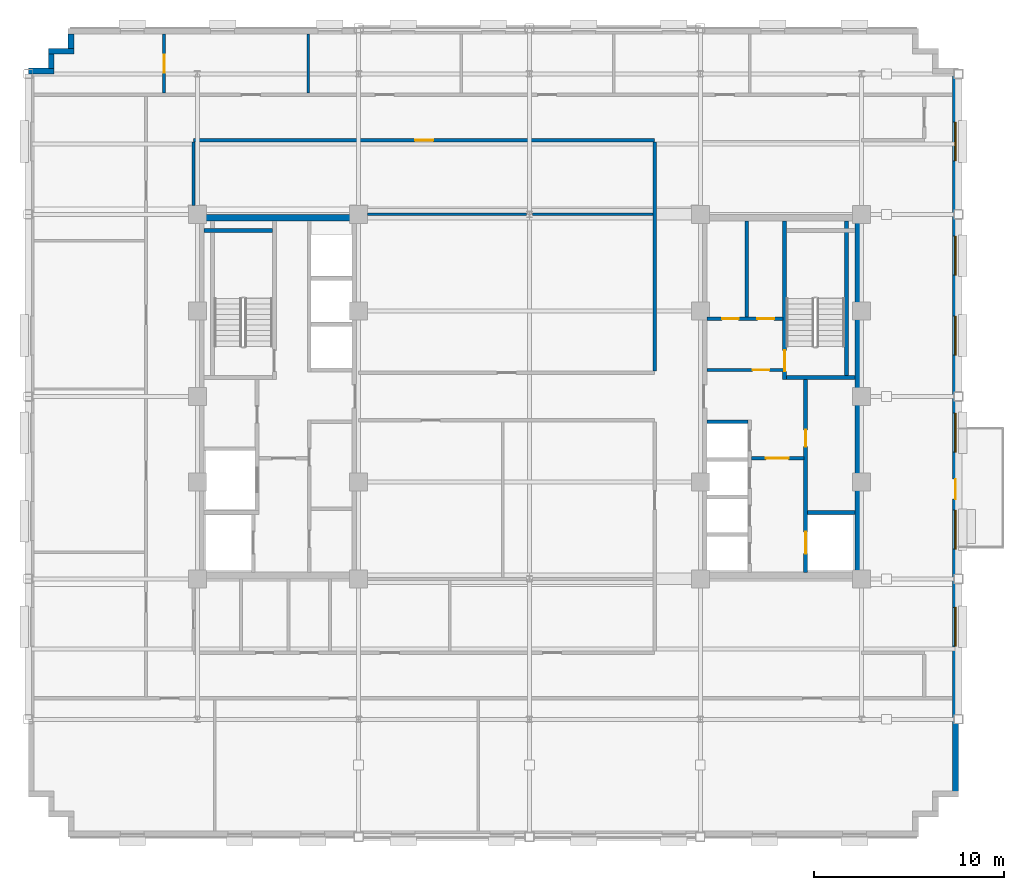
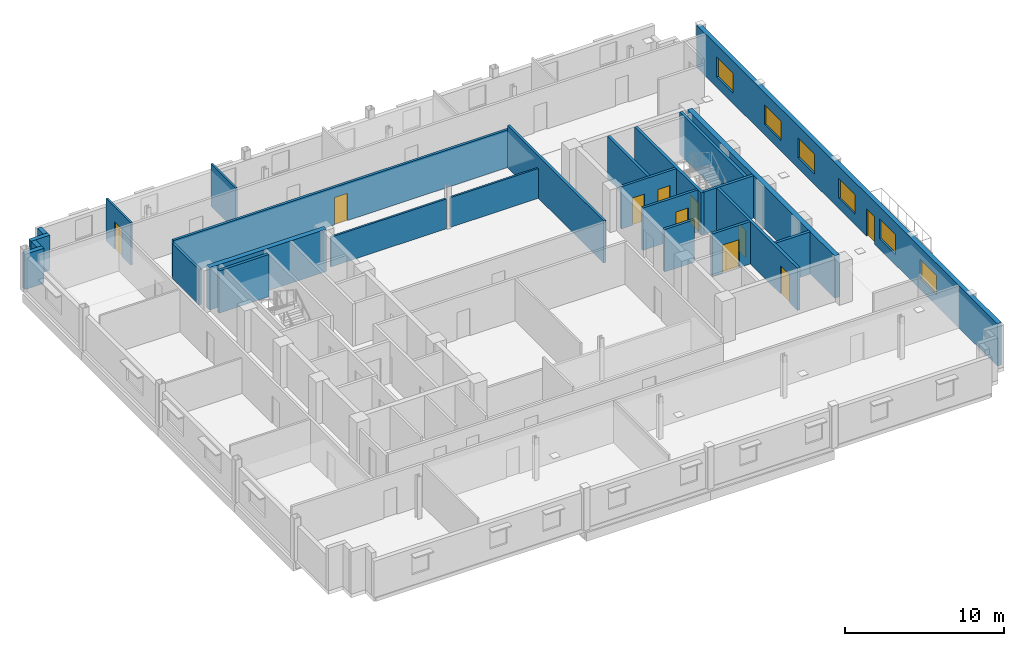
# One storey, part 9 of 15: 25 walls, 10 doors, 6 windows, 16 openings.
"""IFC4 building model written with IfcOpenShell, lengths in metres."""

from ifc_helpers import new_model, si_unit, direction, frame, frame_2d, origin, place, context, subcontext, project, spatial, rectangle, extrude, source, transform, mapped, material, layer, layer_set, type_object, type_shapes, element, fill, save


model = new_model("IFC4")

# Units and contexts
model_context = context("Model", 3, precision=1e-05, world=origin(), true_north=direction((0.0, 1.0)))
body_context = subcontext(model_context, "Body", "Model", "MODEL_VIEW")
ifc_project = project(units=[si_unit("LENGTHUNIT", "METRE"), si_unit("AREAUNIT", "SQUARE_METRE"), si_unit("VOLUMEUNIT", "CUBIC_METRE"), si_unit("PLANEANGLEUNIT", "RADIAN"), si_unit("MASSUNIT", "GRAM", prefix="KILO")], contexts=[model_context])

# Site, building, storey
site_placement = place(None, origin())
site = spatial("IfcSite", under=ifc_project, at=site_placement, CompositionType="ELEMENT")
building_placement = place(site_placement, origin())
building = spatial("IfcBuilding", under=site, at=building_placement, Name="Nuvemarco Arch Tower", CompositionType="ELEMENT")
storey_placement = place(building_placement, frame((0.0, 0.0, 205.5)))
storey = spatial("IfcBuildingStorey", under=building, at=storey_placement, Name="L54", CompositionType="ELEMENT", Elevation=205.5)

# Wall, openings, door, windows
ifc_material_1 = material(Name="Precast concrete C45/55", Category="concrete")
ifc_layer_1 = layer(ifc_material_1, 0.31005859375, Name="EW-UPP-310")
ifc_layer_set_1 = layer_set([ifc_layer_1], Name="Precast concrete C45/55")
wall_type_1 = type_object("IfcWallType", Name="EW-UPP-310", PredefinedType="STANDARD", material=ifc_layer_set_1)
wall_1_placement = place(storey_placement, frame((22.445068359375, -20.7939453125, 0.0), z_axis=(0.0, 0.0, 1.0), x_axis=(0.0, 1.0, 0.0)))
wall_1 = element("IfcWall", 1, at=wall_1_placement, inside=storey, type_object=wall_type_1, Name="L54 exterior precast facade wall 6", PredefinedType="STANDARD", context=body_context, shape_type="SweptSolid", body=[
    extrude(rectangle(XDim=37.787841796875, YDim=0.31005859375, at=frame_2d((18.89404296875, 0.0))), origin(), (0.0, 0.0, 1.0), 3.239990234375),
])
opening_1_placement = place(wall_1_placement, frame((16.444091796875, 0.0, 0.0), z_axis=(0.0, 0.0, 1.0), x_axis=(-1.0, 0.0, 0.0)))
opening_1 = element("IfcOpeningElement", 2, at=opening_1_placement, cuts=wall_1, Name="Opening ED-5", PredefinedType="OPENING", context=body_context, shape_type="SweptSolid", body=[
    extrude(rectangle(XDim=1.050048828125, YDim=2.10009765625, at=frame_2d((0.52490234375, 1.050048828125))), frame((0.0, 0.1650390625, 0.0), z_axis=(0.0, -1.0, 0.0), x_axis=(1.0, 0.0, 0.0)), (0.0, 0.0, 1.0), 0.330078125),
])
opening_2_placement = place(wall_1_placement, frame((7.643798828125, 0.0, 0.800048828125)))
opening_2 = element("IfcOpeningElement", 3, at=opening_2_placement, cuts=wall_1, Name="Opening WN-12", PredefinedType="OPENING", context=body_context, shape_type="SweptSolid", body=[
    extrude(rectangle(XDim=2.050048828125, YDim=1.52001953125, at=frame_2d((1.02490234375, 0.760009765625))), frame((0.0, 0.1650390625, 0.0), z_axis=(0.0, -1.0, 0.0), x_axis=(1.0, 0.0, 0.0)), (0.0, 0.0, 1.0), 0.330078125),
])
opening_3_placement = place(wall_1_placement, frame((12.75634765625, 0.0, 0.800048828125)))
opening_3 = element("IfcOpeningElement", 4, at=opening_3_placement, cuts=wall_1, Name="Opening WN-12", PredefinedType="OPENING", context=body_context, shape_type="SweptSolid", body=[
    extrude(rectangle(XDim=2.050048828125, YDim=1.52001953125, at=frame_2d((1.02490234375, 0.760009765625))), frame((0.0, 0.1650390625, 0.0), z_axis=(0.0, -1.0, 0.0), x_axis=(1.0, 0.0, 0.0)), (0.0, 0.0, 1.0), 0.330078125),
])
opening_4_placement = place(wall_1_placement, frame((17.868896484375, 0.0, 0.800048828125)))
opening_4 = element("IfcOpeningElement", 5, at=opening_4_placement, cuts=wall_1, Name="Opening WN-12", PredefinedType="OPENING", context=body_context, shape_type="SweptSolid", body=[
    extrude(rectangle(XDim=2.050048828125, YDim=1.52001953125, at=frame_2d((1.02490234375, 0.760009765625))), frame((0.0, 0.1650390625, 0.0), z_axis=(0.0, -1.0, 0.0), x_axis=(1.0, 0.0, 0.0)), (0.0, 0.0, 1.0), 0.330078125),
])
opening_5_placement = place(wall_1_placement, frame((22.981689453125, 0.0, 0.800048828125)))
opening_5 = element("IfcOpeningElement", 6, at=opening_5_placement, cuts=wall_1, Name="Opening WN-12", PredefinedType="OPENING", context=body_context, shape_type="SweptSolid", body=[
    extrude(rectangle(XDim=2.050048828125, YDim=1.52001953125, at=frame_2d((1.02490234375, 0.760009765625))), frame((0.0, 0.1650390625, 0.0), z_axis=(0.0, -1.0, 0.0), x_axis=(1.0, 0.0, 0.0)), (0.0, 0.0, 1.0), 0.330078125),
])
opening_6_placement = place(wall_1_placement, frame((27.194091796875, 0.0, 0.800048828125)))
opening_6 = element("IfcOpeningElement", 7, at=opening_6_placement, cuts=wall_1, Name="Opening WN-12", PredefinedType="OPENING", context=body_context, shape_type="SweptSolid", body=[
    extrude(rectangle(XDim=2.050048828125, YDim=1.52001953125, at=frame_2d((1.02490234375, 0.760009765625))), frame((0.0, 0.1650390625, 0.0), z_axis=(0.0, -1.0, 0.0), x_axis=(1.0, 0.0, 0.0)), (0.0, 0.0, 1.0), 0.330078125),
])
opening_7_placement = place(wall_1_placement, frame((33.206787109375, 0.0, 0.800048828125)))
opening_7 = element("IfcOpeningElement", 8, at=opening_7_placement, cuts=wall_1, Name="Opening WN-12", PredefinedType="OPENING", context=body_context, shape_type="SweptSolid", body=[
    extrude(rectangle(XDim=2.050048828125, YDim=1.52001953125, at=frame_2d((1.02490234375, 0.760009765625))), frame((0.0, 0.1650390625, 0.0), z_axis=(0.0, -1.0, 0.0), x_axis=(1.0, 0.0, 0.0)), (0.0, 0.0, 1.0), 0.330078125),
])
ifc_material_2 = material(Name="Anodised bronze and laminated glass", Category="glass")
door_type_1 = type_object("IfcDoorType", Name="DR-EXT-TERR", OperationType="NOTDEFINED", PredefinedType="DOOR", material=ifc_material_2)
shared_shape_1 = source(origin(), body_context, "Body", "SweptSolid", [
    extrude(rectangle(XDim=1.050048828125, YDim=2.10009765625, at=frame_2d((0.52490234375, 1.050048828125))), frame((0.0, 0.02490234375, 0.0), z_axis=(0.0, -1.0, 0.0), x_axis=(1.0, 0.0, 0.0)), (0.0, 0.0, 1.0), 0.050048828125),
])
type_shapes(door_type_1, [shared_shape_1])
door_1_placement = place(opening_1_placement, origin())
door_1 = element("IfcDoor", 9, at=door_1_placement, inside=storey, type_object=door_type_1, Name="L54 spiral terrace access door", OperationType="SINGLE_SWING_LEFT", OverallHeight=2.10009765625, OverallWidth=1.050048828125, PredefinedType="DOOR", context=body_context, shape_type="MappedRepresentation", body=[
    mapped(shared_shape_1, transform((0.0, 0.0, 0.0), scale=1.0)),
])
fill(opening_1, door_1)
ifc_material_3 = material(Name="Insulated solar-control glass", Category="glass")
window_type = type_object("IfcWindowType", Name="WN-SET-2050x1520", PartitioningType="DOUBLE_PANEL_VERTICAL", PredefinedType="WINDOW", material=ifc_material_3)
shared_shape_2 = source(origin(), body_context, "Body", "SweptSolid", [
    extrude(rectangle(XDim=2.050048828125, YDim=1.52001953125, at=frame_2d((1.02490234375, 0.760009765625))), frame((0.0, 0.030029296875, 0.0), z_axis=(0.0, -1.0, 0.0), x_axis=(1.0, 0.0, 0.0)), (0.0, 0.0, 1.0), 0.06005859375),
])
type_shapes(window_type, [shared_shape_2])
window_1_placement = place(opening_2_placement, origin())
window_1 = element("IfcWindow", 10, at=window_1_placement, inside=storey, type_object=window_type, Name="L54 punched facade window 2", OverallHeight=1.52001953125, OverallWidth=2.050048828125, PartitioningType="SINGLE_PANEL", PredefinedType="WINDOW", context=body_context, shape_type="MappedRepresentation", body=[
    mapped(shared_shape_2, transform((0.0, 0.0, 0.0), scale=1.0)),
])
fill(opening_2, window_1)
window_2_placement = place(opening_3_placement, origin())
window_2 = element("IfcWindow", 11, at=window_2_placement, inside=storey, type_object=window_type, Name="L54 punched facade window 3", OverallHeight=1.52001953125, OverallWidth=2.050048828125, PartitioningType="SINGLE_PANEL", PredefinedType="WINDOW", context=body_context, shape_type="MappedRepresentation", body=[
    mapped(shared_shape_2, transform((0.0, 0.0, 0.0), scale=1.0)),
])
fill(opening_3, window_2)
window_3_placement = place(opening_4_placement, origin())
window_3 = element("IfcWindow", 12, at=window_3_placement, inside=storey, type_object=window_type, Name="L54 punched facade window 4", OverallHeight=1.52001953125, OverallWidth=2.050048828125, PartitioningType="SINGLE_PANEL", PredefinedType="WINDOW", context=body_context, shape_type="MappedRepresentation", body=[
    mapped(shared_shape_2, transform((0.0, 0.0, 0.0), scale=1.0)),
])
fill(opening_4, window_3)
window_4_placement = place(opening_5_placement, origin())
window_4 = element("IfcWindow", 13, at=window_4_placement, inside=storey, type_object=window_type, Name="L54 punched facade window 5", OverallHeight=1.52001953125, OverallWidth=2.050048828125, PartitioningType="SINGLE_PANEL", PredefinedType="WINDOW", context=body_context, shape_type="MappedRepresentation", body=[
    mapped(shared_shape_2, transform((0.0, 0.0, 0.0), scale=1.0)),
])
fill(opening_5, window_4)
window_5_placement = place(opening_6_placement, origin())
window_5 = element("IfcWindow", 14, at=window_5_placement, inside=storey, type_object=window_type, Name="L54 punched facade window 6", OverallHeight=1.52001953125, OverallWidth=2.050048828125, PartitioningType="SINGLE_PANEL", PredefinedType="WINDOW", context=body_context, shape_type="MappedRepresentation", body=[
    mapped(shared_shape_2, transform((0.0, 0.0, 0.0), scale=1.0)),
])
fill(opening_6, window_5)
window_6_placement = place(opening_7_placement, origin())
window_6 = element("IfcWindow", 15, at=window_6_placement, inside=storey, type_object=window_type, Name="L54 punched facade window 7", OverallHeight=1.52001953125, OverallWidth=2.050048828125, PartitioningType="SINGLE_PANEL", PredefinedType="WINDOW", context=body_context, shape_type="MappedRepresentation", body=[
    mapped(shared_shape_2, transform((0.0, 0.0, 0.0), scale=1.0)),
])
fill(opening_7, window_6)

# Walls
wall_2_placement = place(storey_placement, frame((-24.14501953125, 18.345947265625, 0.0), z_axis=(0.0, 0.0, 1.0), x_axis=(0.0, 1.0, 0.0)))
element("IfcWall", 16, at=wall_2_placement, inside=storey, type_object=wall_type_1, Name="L54 exterior precast facade wall 12", PredefinedType="STANDARD", context=body_context, shape_type="SweptSolid", body=[
    extrude(rectangle(XDim=0.748046875, YDim=0.31005859375, at=frame_2d((0.3740234375, 0.0))), origin(), (0.0, 0.0, 1.0), 2.696044921875),
])
wall_3_placement = place(storey_placement, frame((-25.35009765625, 18.195068359375, 0.0), z_axis=(0.0, 0.0, 1.0), x_axis=(1.0, 0.0, 0.0)))
element("IfcWall", 17, at=wall_3_placement, inside=storey, type_object=wall_type_1, Name="L54 exterior precast facade wall 13", PredefinedType="STANDARD", context=body_context, shape_type="SweptSolid", body=[
    extrude(rectangle(XDim=1.360107421875, YDim=0.31005859375, at=frame_2d((0.68017578125, 0.0))), origin(), (0.0, 0.0, 1.0), 2.696044921875),
])
wall_4_placement = place(storey_placement, frame((-25.195068359375, 17.2958984375, 0.0), z_axis=(0.0, 0.0, 1.0), x_axis=(0.0, 1.0, 0.0)))
element("IfcWall", 18, at=wall_4_placement, inside=storey, type_object=wall_type_1, Name="L54 exterior precast facade wall 14", PredefinedType="STANDARD", context=body_context, shape_type="SweptSolid", body=[
    extrude(rectangle(XDim=0.748046875, YDim=0.31005859375, at=frame_2d((0.3740234375, 0.0))), origin(), (0.0, 0.0, 1.0), 2.696044921875),
])
wall_5_placement = place(storey_placement, frame((-26.39990234375, 17.14501953125, 0.0), z_axis=(0.0, 0.0, 1.0), x_axis=(1.0, 0.0, 0.0)))
element("IfcWall", 19, at=wall_5_placement, inside=storey, type_object=wall_type_1, Name="L54 exterior precast facade wall 15", PredefinedType="STANDARD", context=body_context, shape_type="SweptSolid", body=[
    extrude(rectangle(XDim=1.35986328125, YDim=0.31005859375, at=frame_2d((0.679931640625, 0.0))), origin(), (0.0, 0.0, 1.0), 2.696044921875),
])
ifc_material_4 = material(Name="Concrete C50/60", Category="concrete")
ifc_layer_2 = layer(ifc_material_4, 0.35009765625, Name="WL-CORE-350")
ifc_layer_set_2 = layer_set([ifc_layer_2], Name="Concrete C50/60")
wall_type_2 = type_object("IfcWallType", Name="WL-CORE-350", PredefinedType="SHEAR", material=ifc_layer_set_2)
wall_6_placement = place(storey_placement, frame((-17.5, 9.425048828125, 0.0), z_axis=(0.0, 0.0, 1.0), x_axis=(1.0, 0.0, 0.0)))
element("IfcWall", 20, at=wall_6_placement, inside=storey, type_object=wall_type_2, Name="L54 W-core shear wall N", PredefinedType="SHEAR", context=body_context, shape_type="SweptSolid", body=[
    extrude(rectangle(XDim=8.5, YDim=0.35009765625, at=frame_2d((4.25, 0.0))), origin(), (0.0, 0.0, 1.0), 3.25),
])
wall_7_placement = place(storey_placement, frame((17.324951171875, -9.2548828125, 0.0), z_axis=(0.0, 0.0, 1.0), x_axis=(0.0, 1.0, 0.0)))
element("IfcWall", 21, at=wall_7_placement, inside=storey, type_object=wall_type_2, Name="L54 E-core shear wall E", PredefinedType="SHEAR", context=body_context, shape_type="SweptSolid", body=[
    extrude(rectangle(XDim=18.509765625, YDim=0.35009765625, at=frame_2d((9.2548828125, 0.0))), origin(), (0.0, 0.0, 1.0), 3.25),
])

# Wall, opening, door
ifc_material_5 = material(Name="Fire-rated gypsum drywall partition")
ifc_layer_3 = layer(ifc_material_5, 0.179931640625, Name="WL-CORR-180")
ifc_layer_set_3 = layer_set([ifc_layer_3], Name="Fire-rated gypsum drywall partition")
wall_type_3 = type_object("IfcWallType", Name="WL-CORR-180", PredefinedType="PARTITIONING", material=ifc_layer_set_3)
wall_8_placement = place(storey_placement, frame((9.344970703125, 1.39990234375, 0.0), z_axis=(0.0, 0.0, 1.0), x_axis=(1.0, 0.0, 0.0)))
wall_8 = element("IfcWall", 22, at=wall_8_placement, inside=storey, type_object=wall_type_3, Name="L54 interior wall IW-L54-EK-S", PredefinedType="PARTITIONING", context=body_context, shape_type="SweptSolid", body=[
    extrude(rectangle(XDim=4.0, YDim=0.179931640625, at=frame_2d((2.0, 0.0))), origin(), (0.0, 0.0, 1.0), 3.239990234375),
])
opening_8_placement = place(wall_8_placement, frame((2.4150390625, 0.0, 0.0)))
opening_8 = element("IfcOpeningElement", 23, at=opening_8_placement, cuts=wall_8, Name="Opening FD-4", PredefinedType="OPENING", context=body_context, shape_type="SweptSolid", body=[
    extrude(rectangle(XDim=0.8798828125, YDim=2.10009765625, at=frame_2d((0.43994140625, 1.050048828125))), frame((0.0, 0.099853515625, 0.0), z_axis=(0.0, -1.0, 0.0), x_axis=(1.0, 0.0, 0.0)), (0.0, 0.0, 1.0), 0.199951171875),
])
ifc_material_6 = material(Name="Anodised steel fire door", Category="steel")
door_type_2 = type_object("IfcDoorType", Name="DR-RISER-FD", OperationType="NOTDEFINED", PredefinedType="DOOR", material=ifc_material_6)
shared_shape_3 = source(origin(), body_context, "Body", "SweptSolid", [
    extrude(rectangle(XDim=0.8798828125, YDim=2.10009765625, at=frame_2d((0.43994140625, 1.050048828125))), frame((0.0, 0.02490234375, 0.0), z_axis=(0.0, -1.0, 0.0), x_axis=(1.0, 0.0, 0.0)), (0.0, 0.0, 1.0), 0.050048828125),
])
type_shapes(door_type_2, [shared_shape_3])
door_2_placement = place(opening_8_placement, origin())
door_2 = element("IfcDoor", 24, at=door_2_placement, inside=storey, type_object=door_type_2, Name="L54 door FD-L54-EK3A", OperationType="SINGLE_SWING_LEFT", OverallHeight=2.10009765625, OverallWidth=0.8798828125, PredefinedType="DOOR", context=body_context, shape_type="MappedRepresentation", body=[
    mapped(shared_shape_3, transform((0.0, 0.0, 0.0), scale=1.0)),
])
fill(opening_8, door_2)

# Wall, openings, doors
wall_9_placement = place(storey_placement, frame((9.344970703125, 4.10009765625, 0.0), z_axis=(0.0, 0.0, 1.0), x_axis=(1.0, 0.0, 0.0)))
wall_9 = element("IfcWall", 25, at=wall_9_placement, inside=storey, type_object=wall_type_3, Name="L54 interior wall IW-L54-EK3H", PredefinedType="PARTITIONING", context=body_context, shape_type="SweptSolid", body=[
    extrude(rectangle(XDim=4.0, YDim=0.179931640625, at=frame_2d((2.0, 0.0))), origin(), (0.0, 0.0, 1.0), 3.239990234375),
])
opening_9_placement = place(wall_9_placement, frame((0.800048828125, 0.0, 0.0)))
opening_9 = element("IfcOpeningElement", 26, at=opening_9_placement, cuts=wall_9, Name="Opening FD-4", PredefinedType="OPENING", context=body_context, shape_type="SweptSolid", body=[
    extrude(rectangle(XDim=0.8798828125, YDim=2.10009765625, at=frame_2d((0.43994140625, 1.050048828125))), frame((0.0, 0.099853515625, 0.0), z_axis=(0.0, -1.0, 0.0), x_axis=(1.0, 0.0, 0.0)), (0.0, 0.0, 1.0), 0.199951171875),
])
opening_10_placement = place(wall_9_placement, frame((2.6650390625, 0.0, 0.0)))
opening_10 = element("IfcOpeningElement", 27, at=opening_10_placement, cuts=wall_9, Name="Opening FD-4", PredefinedType="OPENING", context=body_context, shape_type="SweptSolid", body=[
    extrude(rectangle(XDim=0.8798828125, YDim=2.10009765625, at=frame_2d((0.43994140625, 1.050048828125))), frame((0.0, 0.099853515625, 0.0), z_axis=(0.0, -1.0, 0.0), x_axis=(1.0, 0.0, 0.0)), (0.0, 0.0, 1.0), 0.199951171875),
])
door_3_placement = place(opening_9_placement, origin())
door_3 = element("IfcDoor", 28, at=door_3_placement, inside=storey, type_object=door_type_2, Name="L54 door FD-L54-EK3B", OperationType="SINGLE_SWING_RIGHT", OverallHeight=2.10009765625, OverallWidth=0.8798828125, PredefinedType="DOOR", context=body_context, shape_type="MappedRepresentation", body=[
    mapped(shared_shape_3, transform((0.0, 0.0, 0.0), scale=1.0)),
])
fill(opening_9, door_3)
door_4_placement = place(opening_10_placement, origin())
door_4 = element("IfcDoor", 29, at=door_4_placement, inside=storey, type_object=door_type_2, Name="L54 door FD-L54-EK3C", OperationType="SINGLE_SWING_LEFT", OverallHeight=2.10009765625, OverallWidth=0.8798828125, PredefinedType="DOOR", context=body_context, shape_type="MappedRepresentation", body=[
    mapped(shared_shape_3, transform((0.0, 0.0, 0.0), scale=1.0)),
])
fill(opening_10, door_4)

# Wall
wall_10_placement = place(storey_placement, frame((11.449951171875, 4.18994140625, 0.0), z_axis=(0.0, 0.0, 1.0), x_axis=(0.0, 1.0, 0.0)))
element("IfcWall", 30, at=wall_10_placement, inside=storey, type_object=wall_type_3, Name="L54 interior wall IW-L54-EK3V", PredefinedType="PARTITIONING", context=body_context, shape_type="SweptSolid", body=[
    extrude(rectangle(XDim=5.06494140625, YDim=0.179931640625, at=frame_2d((2.532470703125, 0.0))), origin(), (0.0, 0.0, 1.0), 3.239990234375),
])

# Wall, opening, door
wall_11_placement = place(storey_placement, frame((-17.699951171875, 13.5, 0.0), z_axis=(0.0, 0.0, 1.0), x_axis=(1.0, 0.0, 0.0)))
wall_11 = element("IfcWall", 31, at=wall_11_placement, inside=storey, type_object=wall_type_3, Name="L54 interior wall IW-L54-013", PredefinedType="PARTITIONING", context=body_context, shape_type="SweptSolid", body=[
    extrude(rectangle(XDim=24.300048828125, YDim=0.179931640625, at=frame_2d((12.14990234375, 0.0))), origin(), (0.0, 0.0, 1.0), 2.887939453125),
])
opening_11_placement = place(wall_11_placement, frame((11.669921875, 0.0, 0.0)))
opening_11 = element("IfcOpeningElement", 32, at=opening_11_placement, cuts=wall_11, Name="Opening FD-5", PredefinedType="OPENING", context=body_context, shape_type="SweptSolid", body=[
    extrude(rectangle(XDim=0.9599609375, YDim=2.10009765625, at=frame_2d((0.47998046875, 1.050048828125))), frame((0.0, 0.099853515625, 0.0), z_axis=(0.0, -1.0, 0.0), x_axis=(1.0, 0.0, 0.0)), (0.0, 0.0, 1.0), 0.199951171875),
])
ifc_material_7 = material(Name="Timber fire door", Category="wood")
door_type_3 = type_object("IfcDoorType", Name="DR-CORR-FD", OperationType="NOTDEFINED", PredefinedType="DOOR", material=ifc_material_7)
shared_shape_4 = source(origin(), body_context, "Body", "SweptSolid", [
    extrude(rectangle(XDim=0.9599609375, YDim=2.10009765625, at=frame_2d((0.47998046875, 1.050048828125))), frame((0.0, 0.02490234375, 0.0), z_axis=(0.0, -1.0, 0.0), x_axis=(1.0, 0.0, 0.0)), (0.0, 0.0, 1.0), 0.050048828125),
])
type_shapes(door_type_3, [shared_shape_4])
door_5_placement = place(opening_11_placement, origin())
door_5 = element("IfcDoor", 33, at=door_5_placement, inside=storey, type_object=door_type_3, Name="L54 door DR-L54-IN_N1", OperationType="SINGLE_SWING_RIGHT", OverallHeight=2.10009765625, OverallWidth=0.9599609375, PredefinedType="DOOR", context=body_context, shape_type="MappedRepresentation", body=[
    mapped(shared_shape_4, transform((0.0, 0.0, 0.0), scale=1.0)),
])
fill(opening_11, door_5)

# Walls
wall_12_placement = place(storey_placement, frame((-17.699951171875, 10.071044921875, 0.0), z_axis=(0.0, 0.0, 1.0), x_axis=(0.0, 1.0, 0.0)))
element("IfcWall", 34, at=wall_12_placement, inside=storey, type_object=wall_type_3, Name="L54 interior wall IW-L54-019", PredefinedType="PARTITIONING", context=body_context, shape_type="SweptSolid", body=[
    extrude(rectangle(XDim=3.343017578125, YDim=0.179931640625, at=frame_2d((1.67138671875, 0.0))), origin(), (0.0, 0.0, 1.0), 2.696044921875),
])
wall_13_placement = place(storey_placement, frame((6.60009765625, 1.3359375, 0.0), z_axis=(0.0, 0.0, 1.0), x_axis=(0.0, 1.0, 0.0)))
element("IfcWall", 35, at=wall_13_placement, inside=storey, type_object=wall_type_3, Name="L54 interior wall IW-L54-031", PredefinedType="PARTITIONING", context=body_context, shape_type="SweptSolid", body=[
    extrude(rectangle(XDim=12.078125, YDim=0.179931640625, at=frame_2d((6.0390625, 0.0))), origin(), (0.0, 0.0, 1.0), 3.239990234375),
])
ifc_material_8 = material(Name="Gypsum plasterboard partition")
ifc_layer_4 = layer(ifc_material_8, 0.139892578125, Name="WL-ROOM-140")
ifc_layer_set_4 = layer_set([ifc_layer_4], Name="Gypsum plasterboard partition")
wall_type_4 = type_object("IfcWallType", Name="WL-ROOM-140", PredefinedType="PARTITIONING", material=ifc_layer_set_4)
wall_14_placement = place(storey_placement, frame((-8.529052734375, 9.60009765625, 0.0), z_axis=(0.0, 0.0, 1.0), x_axis=(1.0, 0.0, 0.0)))
element("IfcWall", 36, at=wall_14_placement, inside=storey, type_object=wall_type_4, Name="L54 interior wall IW-L54-011", PredefinedType="PARTITIONING", context=body_context, shape_type="SweptSolid", body=[
    extrude(rectangle(XDim=8.378173828125, YDim=0.139892578125, at=frame_2d((4.18896484375, 0.0))), origin(), (0.0, 0.0, 1.0), 2.284912109375),
])
wall_15_placement = place(storey_placement, frame((0.15087890625, 9.60009765625, 0.0), z_axis=(0.0, 0.0, 1.0), x_axis=(1.0, 0.0, 0.0)))
element("IfcWall", 37, at=wall_15_placement, inside=storey, type_object=wall_type_4, Name="L54 interior wall IW-L54-012", PredefinedType="PARTITIONING", context=body_context, shape_type="SweptSolid", body=[
    extrude(rectangle(XDim=6.363037109375, YDim=0.139892578125, at=frame_2d((3.181640625, 0.0))), origin(), (0.0, 0.0, 1.0), 2.284912109375),
])

# Wall, opening, door
wall_16_placement = place(storey_placement, frame((-19.25, 15.986083984375, 0.0), z_axis=(0.0, 0.0, 1.0), x_axis=(0.0, 1.0, 0.0)))
wall_16 = element("IfcWall", 38, at=wall_16_placement, inside=storey, type_object=wall_type_4, Name="L54 interior wall IW-L54-017", PredefinedType="PARTITIONING", context=body_context, shape_type="SweptSolid", body=[
    extrude(rectangle(XDim=3.10400390625, YDim=0.139892578125, at=frame_2d((1.552001953125, 0.0))), origin(), (0.0, 0.0, 1.0), 3.239990234375),
])
opening_12_placement = place(wall_16_placement, frame((1.08203125, 0.0, 0.0)))
opening_12 = element("IfcOpeningElement", 39, at=opening_12_placement, cuts=wall_16, Name="Opening ID-1", PredefinedType="OPENING", context=body_context, shape_type="SweptSolid", body=[
    extrude(rectangle(XDim=0.93994140625, YDim=2.10009765625, at=frame_2d((0.469970703125, 1.050048828125))), frame((0.0, 0.079833984375, 0.0), z_axis=(0.0, -1.0, 0.0), x_axis=(1.0, 0.0, 0.0)), (0.0, 0.0, 1.0), 0.159912109375),
])
ifc_material_9 = material(Name="Veneered oak timber door", Category="wood")
door_type_4 = type_object("IfcDoorType", Name="DR-OFFICE-1", OperationType="NOTDEFINED", PredefinedType="DOOR", material=ifc_material_9)
shared_shape_5 = source(origin(), body_context, "Body", "SweptSolid", [
    extrude(rectangle(XDim=0.93994140625, YDim=2.10009765625, at=frame_2d((0.469970703125, 1.050048828125))), frame((0.0, 0.02490234375, 0.0), z_axis=(0.0, -1.0, 0.0), x_axis=(1.0, 0.0, 0.0)), (0.0, 0.0, 1.0), 0.050048828125),
])
type_shapes(door_type_4, [shared_shape_5])
door_6_placement = place(opening_12_placement, origin())
door_6 = element("IfcDoor", 40, at=door_6_placement, inside=storey, type_object=door_type_4, Name="L54 door DR-L54-N_1", OperationType="SINGLE_SWING_RIGHT", OverallHeight=2.10009765625, OverallWidth=0.93994140625, PredefinedType="DOOR", context=body_context, shape_type="MappedRepresentation", body=[
    mapped(shared_shape_5, transform((0.0, 0.0, 0.0), scale=1.0)),
])
fill(opening_12, door_6)

# Walls
wall_17_placement = place(storey_placement, frame((-11.64990234375, 15.986083984375, 0.0), z_axis=(0.0, 0.0, 1.0), x_axis=(0.0, 1.0, 0.0)))
element("IfcWall", 41, at=wall_17_placement, inside=storey, type_object=wall_type_4, Name="L54 interior wall IW-L54-023", PredefinedType="PARTITIONING", context=body_context, shape_type="SweptSolid", body=[
    extrude(rectangle(XDim=3.10400390625, YDim=0.139892578125, at=frame_2d((1.552001953125, 0.0))), origin(), (0.0, 0.0, 1.0), 3.239990234375),
])
ifc_layer_5 = layer(ifc_material_4, 0.199951171875, Name="WL-SHAFT-220")
ifc_layer_set_5 = layer_set([ifc_layer_5], Name="Concrete C50/60")
wall_type_5 = type_object("IfcWallType", Name="WL-SHAFT-220", PredefinedType="SHEAR", material=ifc_layer_set_5)
wall_18_placement = place(storey_placement, frame((-17.155029296875, 8.75, 0.0), z_axis=(0.0, 0.0, 1.0), x_axis=(1.0, 0.0, 0.0)))
element("IfcWall", 42, at=wall_18_placement, inside=storey, type_object=wall_type_5, Name="L54 structural shaft wall SW-L54-W-ST1N", PredefinedType="SHEAR", context=body_context, shape_type="SweptSolid", body=[
    extrude(rectangle(XDim=3.6201171875, YDim=0.199951171875, at=frame_2d((1.81005859375, 0.0))), origin(), (0.0, 0.0, 1.0), 3.25),
])

# Wall, opening, door
wall_19_placement = place(storey_placement, frame((13.43994140625, 0.89990234375, 0.0), z_axis=(0.0, 0.0, 1.0), x_axis=(0.0, 1.0, 0.0)))
wall_19 = element("IfcWall", 43, at=wall_19_placement, inside=storey, type_object=wall_type_5, Name="L54 structural shaft wall SW-L54-E-ST2W", PredefinedType="SHEAR", context=body_context, shape_type="SweptSolid", body=[
    extrude(rectangle(XDim=8.35498046875, YDim=0.199951171875, at=frame_2d((4.177490234375, 0.0))), origin(), (0.0, 0.0, 1.0), 3.25),
])
opening_13_placement = place(wall_19_placement, frame((0.429931640625, 0.0, 0.0)))
opening_13 = element("IfcOpeningElement", 44, at=opening_13_placement, cuts=wall_19, Name="Opening FD-1", PredefinedType="OPENING", context=body_context, shape_type="SweptSolid", body=[
    extrude(rectangle(XDim=1.10009765625, YDim=2.14990234375, at=frame_2d((0.550048828125, 1.074951171875))), frame((0.0, 0.10986328125, 0.0), z_axis=(0.0, -1.0, 0.0), x_axis=(1.0, 0.0, 0.0)), (0.0, 0.0, 1.0), 0.219970703125),
])
door_type_5 = type_object("IfcDoorType", Name="DR-STAIR-FD", OperationType="NOTDEFINED", PredefinedType="DOOR", material=ifc_material_6)
shared_shape_6 = source(origin(), body_context, "Body", "SweptSolid", [
    extrude(rectangle(XDim=1.10009765625, YDim=2.14990234375, at=frame_2d((0.550048828125, 1.074951171875))), frame((0.0, 0.02490234375, 0.0), z_axis=(0.0, -1.0, 0.0), x_axis=(1.0, 0.0, 0.0)), (0.0, 0.0, 1.0), 0.050048828125),
])
type_shapes(door_type_5, [shared_shape_6])
door_7_placement = place(opening_13_placement, origin())
door_7 = element("IfcDoor", 45, at=door_7_placement, inside=storey, type_object=door_type_5, Name="L54 door FD-L54-ST2", OperationType="SINGLE_SWING_RIGHT", OverallHeight=2.14990234375, OverallWidth=1.10009765625, PredefinedType="DOOR", context=body_context, shape_type="MappedRepresentation", body=[
    mapped(shared_shape_6, transform((0.0, 0.0, 0.0), scale=1.0)),
])
fill(opening_13, door_7)

# Walls
wall_20_placement = place(storey_placement, frame((13.534912109375, 1.0, 0.0), z_axis=(0.0, 0.0, 1.0), x_axis=(1.0, 0.0, 0.0)))
element("IfcWall", 46, at=wall_20_placement, inside=storey, type_object=wall_type_5, Name="L54 structural shaft wall SW-L54-E-ST2S", PredefinedType="SHEAR", context=body_context, shape_type="SweptSolid", body=[
    extrude(rectangle(XDim=3.6201171875, YDim=0.199951171875, at=frame_2d((1.81005859375, 0.0))), origin(), (0.0, 0.0, 1.0), 3.25),
])
wall_21_placement = place(storey_placement, frame((16.699951171875, 1.094970703125, 0.0), z_axis=(0.0, 0.0, 1.0), x_axis=(0.0, 1.0, 0.0)))
element("IfcWall", 47, at=wall_21_placement, inside=storey, type_object=wall_type_5, Name="L54 structural shaft wall SW-L54-E-ST2E", PredefinedType="SHEAR", context=body_context, shape_type="SweptSolid", body=[
    extrude(rectangle(XDim=8.159912109375, YDim=0.199951171875, at=frame_2d((4.080078125, 0.0))), origin(), (0.0, 0.0, 1.0), 3.25),
])

# Wall, openings, doors
wall_22_placement = place(storey_placement, frame((14.550048828125, -9.2548828125, 0.0), z_axis=(0.0, 0.0, 1.0), x_axis=(0.0, 1.0, 0.0)))
wall_22 = element("IfcWall", 48, at=wall_22_placement, inside=storey, type_object=wall_type_5, Name="L54 structural shaft wall SW-L54-E-SHW", PredefinedType="SHEAR", context=body_context, shape_type="SweptSolid", body=[
    extrude(rectangle(XDim=10.159912109375, YDim=0.199951171875, at=frame_2d((5.080078125, 0.0))), origin(), (0.0, 0.0, 1.0), 3.25),
])
opening_14_placement = place(wall_22_placement, frame((6.614990234375, 0.0, 0.0)))
opening_14 = element("IfcOpeningElement", 49, at=opening_14_placement, cuts=wall_22, Name="Opening FD-4", PredefinedType="OPENING", context=body_context, shape_type="SweptSolid", body=[
    extrude(rectangle(XDim=0.8798828125, YDim=2.10009765625, at=frame_2d((0.43994140625, 1.050048828125))), frame((0.0, 0.10986328125, 0.0), z_axis=(0.0, -1.0, 0.0), x_axis=(1.0, 0.0, 0.0)), (0.0, 0.0, 1.0), 0.219970703125),
])
opening_15_placement = place(wall_22_placement, frame((0.97998046875, 0.0, 0.0)))
opening_15 = element("IfcOpeningElement", 50, at=opening_15_placement, cuts=wall_22, Name="Opening LD-2", PredefinedType="OPENING", context=body_context, shape_type="SweptSolid", body=[
    extrude(rectangle(XDim=1.14990234375, YDim=2.14990234375, at=frame_2d((0.574951171875, 1.074951171875))), frame((0.0, 0.10986328125, 0.0), z_axis=(0.0, -1.0, 0.0), x_axis=(1.0, 0.0, 0.0)), (0.0, 0.0, 1.0), 0.219970703125),
])
door_8_placement = place(opening_14_placement, origin())
door_8 = element("IfcDoor", 51, at=door_8_placement, inside=storey, type_object=door_type_2, Name="L54 door FD-L54-ERIS", OperationType="SINGLE_SWING_RIGHT", OverallHeight=2.10009765625, OverallWidth=0.8798828125, PredefinedType="DOOR", context=body_context, shape_type="MappedRepresentation", body=[
    mapped(shared_shape_3, transform((0.0, 0.0, 0.0), scale=1.0)),
])
fill(opening_14, door_8)
ifc_material_10 = material(Name="Stainless steel lift door", Category="steel")
door_type_6 = type_object("IfcDoorType", Name="DR-LIFT-FIRE", OperationType="DOUBLE_DOOR_SLIDING", PredefinedType="DOOR", material=ifc_material_10)
shared_shape_7 = source(origin(), body_context, "Body", "SweptSolid", [
    extrude(rectangle(XDim=1.14990234375, YDim=2.14990234375, at=frame_2d((0.574951171875, 1.074951171875))), frame((0.0, 0.02490234375, 0.0), z_axis=(0.0, -1.0, 0.0), x_axis=(1.0, 0.0, 0.0)), (0.0, 0.0, 1.0), 0.050048828125),
])
type_shapes(door_type_6, [shared_shape_7])
door_9_placement = place(opening_15_placement, origin())
door_9 = element("IfcDoor", 52, at=door_9_placement, inside=storey, type_object=door_type_6, Name="L54 Lift landing sliding door FFL-2", OperationType="DOUBLE_DOOR_SLIDING", OverallHeight=2.14990234375, OverallWidth=1.14990234375, PredefinedType="DOOR", context=body_context, shape_type="MappedRepresentation", body=[
    mapped(shared_shape_7, transform((0.0, 0.0, 0.0), scale=1.0)),
])
fill(opening_15, door_9)

# Wall
wall_23_placement = place(storey_placement, frame((14.64501953125, -6.10009765625, 0.0), z_axis=(0.0, 0.0, 1.0), x_axis=(1.0, 0.0, 0.0)))
element("IfcWall", 53, at=wall_23_placement, inside=storey, type_object=wall_type_5, Name="L54 structural shaft wall SW-L54-E-SH1", PredefinedType="SHEAR", context=body_context, shape_type="SweptSolid", body=[
    extrude(rectangle(XDim=2.510009765625, YDim=0.199951171875, at=frame_2d((1.2548828125, 0.0))), origin(), (0.0, 0.0, 1.0), 3.25),
])

# Wall, opening, door
wall_24_placement = place(storey_placement, frame((11.695068359375, -3.25, 0.0), z_axis=(0.0, 0.0, 1.0), x_axis=(1.0, 0.0, 0.0)))
wall_24 = element("IfcWall", 54, at=wall_24_placement, inside=storey, type_object=wall_type_5, Name="L54 structural shaft wall SW-L54-E-FFN", PredefinedType="SHEAR", context=body_context, shape_type="SweptSolid", body=[
    extrude(rectangle(XDim=2.760009765625, YDim=0.199951171875, at=frame_2d((1.3798828125, 0.0))), origin(), (0.0, 0.0, 1.0), 3.25),
])
opening_16_placement = place(wall_24_placement, frame((0.7548828125, 0.0, 0.0)))
opening_16 = element("IfcOpeningElement", 55, at=opening_16_placement, cuts=wall_24, Name="Opening FD-2", PredefinedType="OPENING", context=body_context, shape_type="SweptSolid", body=[
    extrude(rectangle(XDim=1.199951171875, YDim=2.14990234375, at=frame_2d((0.60009765625, 1.074951171875))), frame((0.0, 0.10986328125, 0.0), z_axis=(0.0, -1.0, 0.0), x_axis=(1.0, 0.0, 0.0)), (0.0, 0.0, 1.0), 0.219970703125),
])
door_type_7 = type_object("IfcDoorType", Name="DR-FFLOB-FD", OperationType="NOTDEFINED", PredefinedType="DOOR", material=ifc_material_6)
shared_shape_8 = source(origin(), body_context, "Body", "SweptSolid", [
    extrude(rectangle(XDim=1.199951171875, YDim=2.14990234375, at=frame_2d((0.60009765625, 1.074951171875))), frame((0.0, 0.02490234375, 0.0), z_axis=(0.0, -1.0, 0.0), x_axis=(1.0, 0.0, 0.0)), (0.0, 0.0, 1.0), 0.050048828125),
])
type_shapes(door_type_7, [shared_shape_8])
door_10_placement = place(opening_16_placement, origin())
door_10 = element("IfcDoor", 56, at=door_10_placement, inside=storey, type_object=door_type_7, Name="L54 door FD-L54-EFF2", OperationType="SINGLE_SWING_RIGHT", OverallHeight=2.14990234375, OverallWidth=1.199951171875, PredefinedType="DOOR", context=body_context, shape_type="MappedRepresentation", body=[
    mapped(shared_shape_8, transform((0.0, 0.0, 0.0), scale=1.0)),
])
fill(opening_16, door_10)

# Wall
wall_25_placement = place(storey_placement, frame((9.344970703125, -1.330078125, 0.0), z_axis=(0.0, 0.0, 1.0), x_axis=(1.0, 0.0, 0.0)))
element("IfcWall", 57, at=wall_25_placement, inside=storey, type_object=wall_type_5, Name="L54 structural shaft wall SW-L54-E-PMD4", PredefinedType="SHEAR", context=body_context, shape_type="SweptSolid", body=[
    extrude(rectangle(XDim=2.159912109375, YDim=0.199951171875, at=frame_2d((1.080078125, 0.0))), origin(), (0.0, 0.0, 1.0), 3.25),
])

save(model, "model.ifc")
